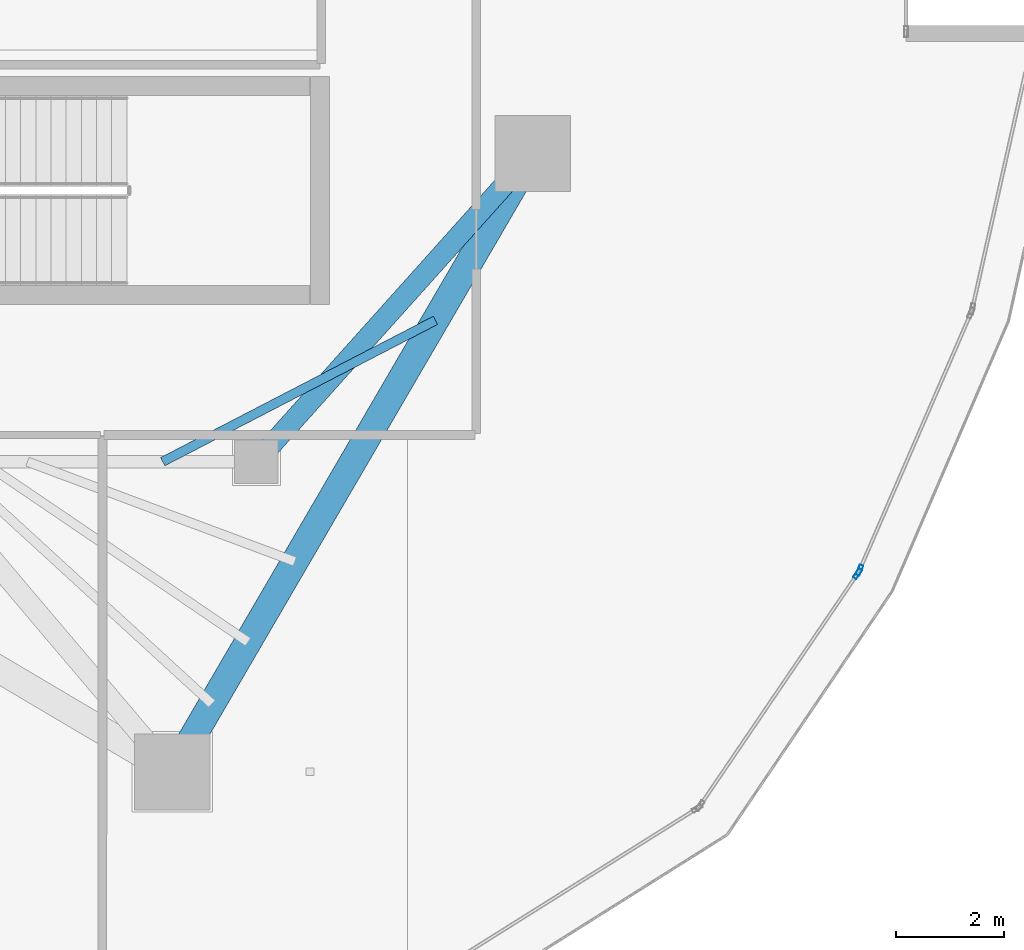
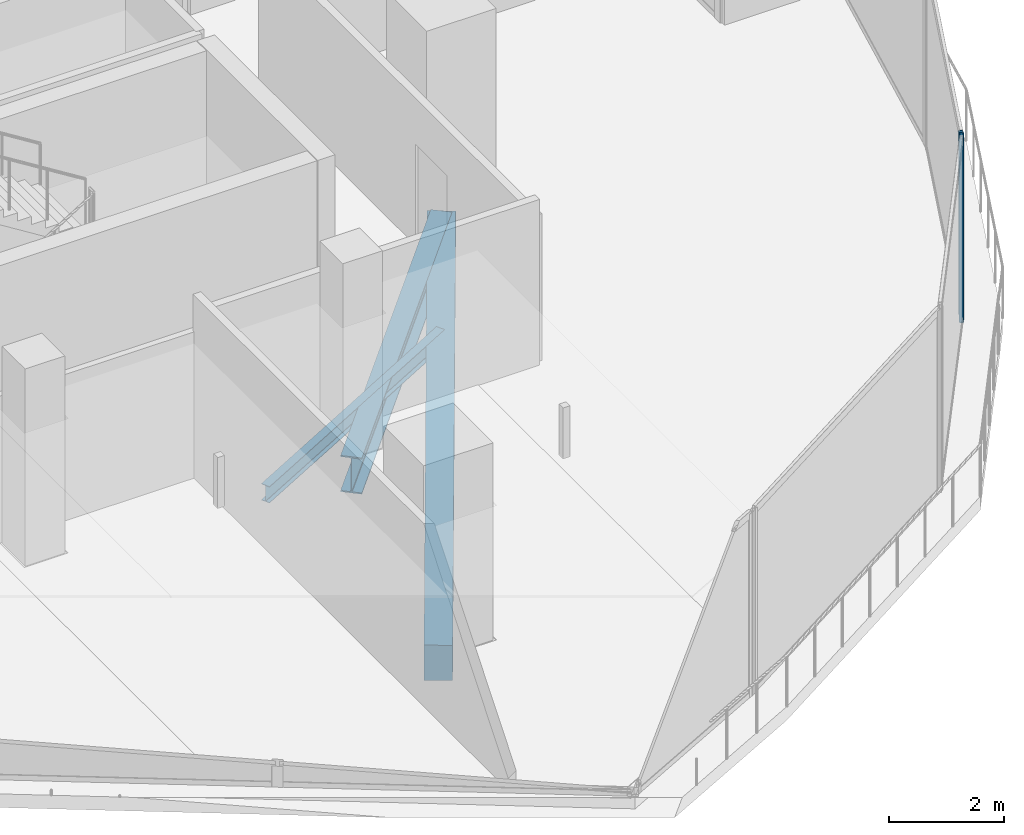
# One storey, part 9 of 27: 3 beams, 2 members, 2 elements without a shape of their own.
"""IFC4 building model written with IfcOpenShell, lengths in metres."""

from ifc_helpers import new_model, si_unit, direction, frame, origin, origin_2d, place, context, subcontext, project, spatial, rectangle, hollow_rectangle, i_section, extrude, material, layer, layer_set, material_profile, profile_set, type_object, element, aggregate, save


model = new_model("IFC4")

# Units and contexts
model_context = context("Model", 3, precision=1e-05, world=origin(), true_north=direction((0.0, 1.0)))
body_context = subcontext(model_context, "Body", "Model", "MODEL_VIEW")
ifc_project = project(units=[si_unit("LENGTHUNIT", "METRE"), si_unit("AREAUNIT", "SQUARE_METRE"), si_unit("VOLUMEUNIT", "CUBIC_METRE"), si_unit("PLANEANGLEUNIT", "RADIAN"), si_unit("MASSUNIT", "GRAM", prefix="KILO")], contexts=[model_context])

# Site, building, storey
site_placement = place(None, origin())
site = spatial("IfcSite", under=ifc_project, at=site_placement, CompositionType="ELEMENT")
building_placement = place(site_placement, origin())
building = spatial("IfcBuilding", under=site, at=building_placement, Name="Qorvath Tower", CompositionType="ELEMENT")
storey_placement = place(building_placement, frame((0.0, 0.0, 293.39990234375)))
storey = spatial("IfcBuildingStorey", under=building, at=storey_placement, Name="L68", CompositionType="ELEMENT", Elevation=293.39990234375)

# Beams
ifc_material_1 = material(Name="Steel ASTM A992 Grade 50", Category="steel")
ifc_material_profile_1 = material_profile(ifc_material_1, i_section(OverallWidth=0.381103515625, OverallDepth=0.77294921875, WebThickness=0.0166015625, FlangeThickness=0.027099609375, FilletRadius=0.01904296875, at=origin_2d()), Name="W30x173")
ifc_profile_set_1 = profile_set([ifc_material_profile_1], Name="Steel ASTM A992 Grade 50")
beam_type_1 = type_object("IfcBeamType", Name="BM-FG3", PredefinedType="BEAM", material=ifc_profile_set_1)
beam_1_placement = place(storey_placement, frame((-17.199951171875, -11.449951171875, -0.67626953125), z_axis=(0.667543184261, 0.744571082669, 0.0), x_axis=(-0.744571082669, 0.667543184261, 0.0)))
element("IfcBeam", 1, at=beam_1_placement, inside=storey, type_object=beam_type_1, Name="Radial Floor Girder CC3-MC4 L68", PredefinedType="BEAM", context=body_context, shape_type="SweptSolid", body=[
    extrude(i_section(OverallWidth=0.381103515625, OverallDepth=0.77294921875, WebThickness=0.0166015625, FlangeThickness=0.027099609375, FilletRadius=0.01904296875, at=origin_2d()), origin(), (0.0, 0.0, 1.0), 7.644775390625),
])
ifc_material_2 = material(Name="Steel ASTM A992 Grade 50", Category="steel")
ifc_material_profile_2 = material_profile(ifc_material_2, i_section(OverallWidth=0.1708984375, OverallDepth=0.35107421875, WebThickness=0.0068359375, FlangeThickness=0.009765625, FilletRadius=0.010009765625, at=origin_2d()), Name="W14x30")
ifc_profile_set_2 = profile_set([ifc_material_profile_2], Name="Steel ASTM A992 Grade 50")
beam_type_2 = type_object("IfcBeamType", Name="BM-FJ4", PredefinedType="JOIST", material=ifc_profile_set_2)
beam_2_placement = place(storey_placement, frame((-18.927978515625, -11.449951171875, -0.46533203125), z_axis=(0.887840529015, 0.460151274082, 0.0), x_axis=(-0.460151274082, 0.887840529015, 0.0)))
element("IfcBeam", 2, at=beam_2_placement, inside=storey, type_object=beam_type_2, Name="Composite Floor Joist SE2 L68", PredefinedType="JOIST", context=body_context, shape_type="SweptSolid", body=[
    extrude(i_section(OverallWidth=0.1708984375, OverallDepth=0.35107421875, WebThickness=0.0068359375, FlangeThickness=0.009765625, FilletRadius=0.010009765625, at=origin_2d()), origin(), (0.0, 0.0, 1.0), 5.670654296875),
])
ifc_material_3 = material(Name="Concrete C45/55", Category="concrete")
ifc_material_profile_3 = material_profile(ifc_material_3, rectangle(XDim=0.5, YDim=0.75, at=origin_2d()), Name="RCB 750x500")
ifc_profile_set_3 = profile_set([ifc_material_profile_3], Name="Concrete C45/55")
beam_type_3 = type_object("IfcBeamType", Name="BM-RCB3", PredefinedType="SPANDREL", material=ifc_profile_set_3)
beam_3_placement = place(storey_placement, frame((-18.75048828125, -17.175537109375, -0.664794921875), z_axis=(0.503502256692, 0.863993910572, 0.0), x_axis=(-0.863993910572, 0.503502256692, 0.0)))
element("IfcBeam", 3, at=beam_3_placement, inside=storey, type_object=beam_type_3, Name="Perimeter Loggia Frame Beam MC3-MC4 L68", PredefinedType="SPANDREL", context=body_context, shape_type="SweptSolid", body=[
    extrude(rectangle(XDim=0.5, YDim=0.75, at=origin_2d()), origin(), (0.0, 0.0, 1.0), 13.215087890625),
])

# Curtain wall, member
ifc_material_4 = material(Name="Anodised aluminium and triple low-E glass", Category="aluminium")
ifc_layer = layer(ifc_material_4, 0.179931640625)
ifc_layer_set = layer_set([ifc_layer], Name="CW-SYS-5")
curtain_wall_type = type_object("IfcCurtainWallType", Name="CW-SYS-5", PredefinedType="NOTDEFINED", material=ifc_layer_set)
curtain_wall_1_placement = place(storey_placement, origin())
curtain_wall_1 = element("IfcCurtainWall", 4, at=curtain_wall_1_placement, inside=storey, type_object=curtain_wall_type, Name="Curtain Wall CW-5 CW-T-L68-5.1", PredefinedType="NOTDEFINED")
ifc_material_5 = material(Name="Anodised aluminium 6063-T6", Category="aluminium")
ifc_material_profile_4 = material_profile(ifc_material_5, hollow_rectangle(XDim=0.074951171875, YDim=0.199951171875, WallThickness=0.00390625, InnerFilletRadius=0.00390625, OuterFilletRadius=0.008056640625, at=origin_2d()), Name="CWM 200x75")
ifc_profile_set_4 = profile_set([ifc_material_profile_4], Name="Anodised aluminium 6063-T6")
member_type = type_object("IfcMemberType", Name="CWM-200", PredefinedType="MULLION", material=ifc_profile_set_4)
member_1_placement = place(storey_placement, frame((-6.100341796875, -13.517822265625, 0.0), z_axis=(0.0, 0.0, 1.0), x_axis=(-0.827126975867, 0.562015093919, 0.0)))
member_1 = element("IfcMember", 5, at=member_1_placement, type_object=member_type, Name="CW-5 mullion 2", PredefinedType="MULLION", context=body_context, shape_type="SweptSolid", body=[
    extrude(hollow_rectangle(XDim=0.074951171875, YDim=0.199951171875, WallThickness=0.00390625, InnerFilletRadius=0.00390625, OuterFilletRadius=0.008056640625, at=origin_2d()), origin(), (0.0, 0.0, 1.0), 3.91015625),
])
aggregate(curtain_wall_1, [member_1])

curtain_wall_2_placement = place(storey_placement, origin())
curtain_wall_2 = element("IfcCurtainWall", 6, at=curtain_wall_2_placement, inside=storey, type_object=curtain_wall_type, Name="Curtain Wall CW-5 CW-T-L68-6.1", PredefinedType="NOTDEFINED")
member_2_placement = place(storey_placement, frame((-6.064453125, -13.452392578125, 0.0), z_axis=(0.0, 0.0, 1.0), x_axis=(-0.917571145356, 0.397571620227, 0.0)))
member_2 = element("IfcMember", 7, at=member_2_placement, type_object=member_type, Name="CW-5 mullion 1", PredefinedType="MULLION", context=body_context, shape_type="SweptSolid", body=[
    extrude(hollow_rectangle(XDim=0.074951171875, YDim=0.199951171875, WallThickness=0.00390625, InnerFilletRadius=0.00390625, OuterFilletRadius=0.008056640625, at=origin_2d()), origin(), (0.0, 0.0, 1.0), 3.91015625),
])
aggregate(curtain_wall_2, [member_2])

save(model, "model.ifc")
